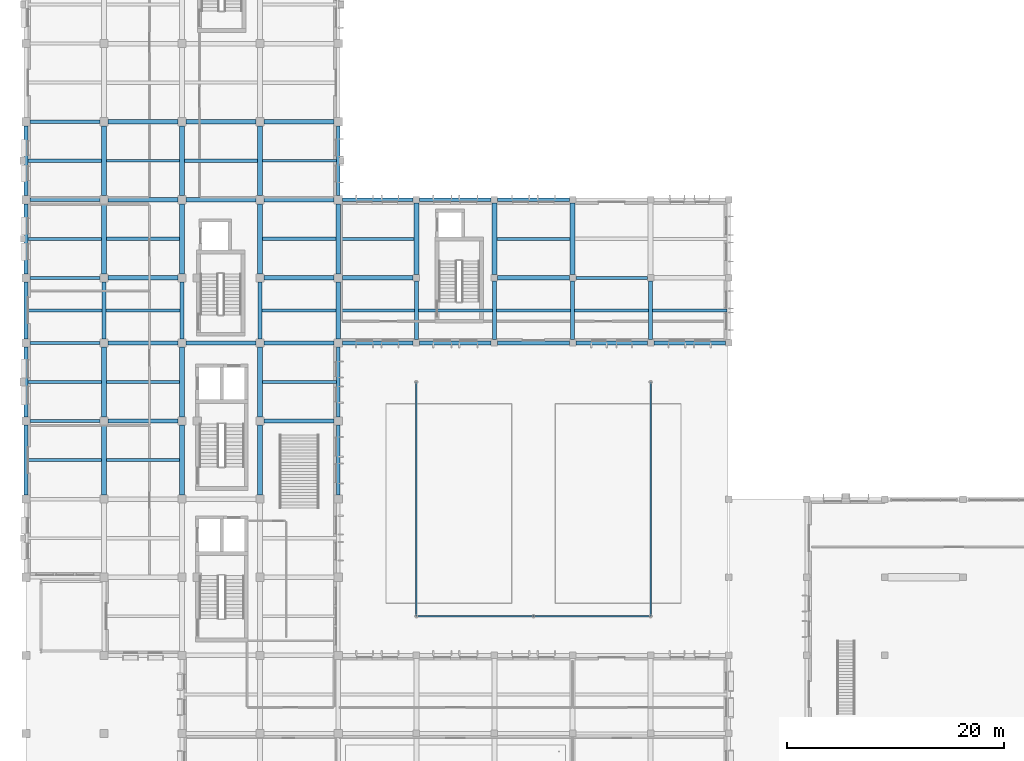
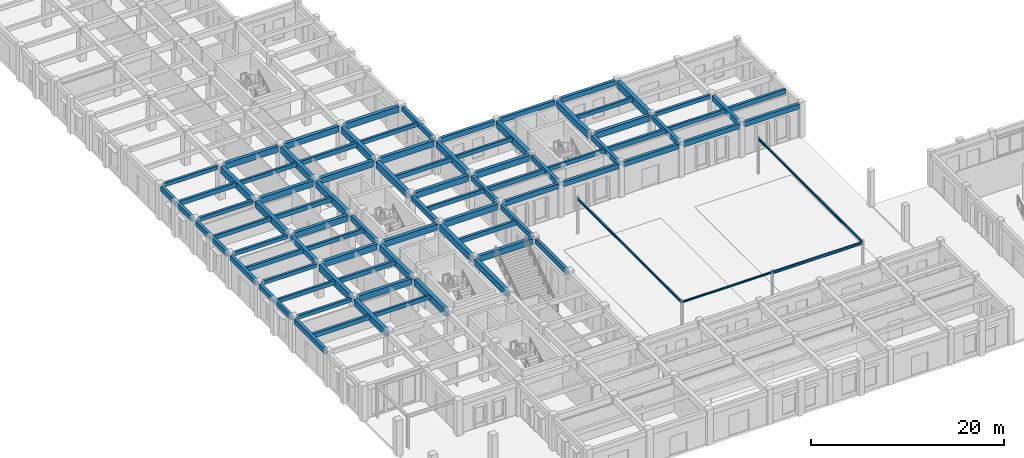
# One storey, part 9 of 43: 87 beams.
"""IFC4 building model written with IfcOpenShell, lengths in metres."""

from ifc_helpers import new_model, si_unit, direction, frame, origin, origin_2d, place, context, subcontext, project, spatial, rectangle, i_section, extrude, material, material_profile, profile_set, type_object, element, save


model = new_model("IFC4")

# Units and contexts
model_context = context("Model", 3, precision=1e-05, world=origin(), true_north=direction((0.0, 1.0)))
body_context = subcontext(model_context, "Body", "Model", "MODEL_VIEW")
ifc_project = project(units=[si_unit("LENGTHUNIT", "METRE"), si_unit("AREAUNIT", "SQUARE_METRE"), si_unit("VOLUMEUNIT", "CUBIC_METRE"), si_unit("PLANEANGLEUNIT", "RADIAN"), si_unit("MASSUNIT", "GRAM", prefix="KILO")], contexts=[model_context])

# Site, building, storey
site_placement = place(None, origin())
site = spatial("IfcSite", under=ifc_project, at=site_placement, CompositionType="ELEMENT")
building_placement = place(site_placement, origin())
building = spatial("IfcBuilding", under=site, at=building_placement, Name="Alvorim Cloister Faculty of Sciences", CompositionType="ELEMENT")
storey_placement = place(building_placement, origin())
storey = spatial("IfcBuildingStorey", under=building, at=storey_placement, Name="L00", CompositionType="ELEMENT", Elevation=0.0)

# Beams
ifc_material_1 = material(Name="Concrete C40", Category="concrete")
ifc_material_profile_1 = material_profile(ifc_material_1, rectangle(XDim=0.260009765625, YDim=0.5, at=origin_2d()), Name="RC40-JST-260x500")
ifc_profile_set_1 = profile_set([ifc_material_profile_1], Name="Concrete C40")
beam_type_1 = type_object("IfcBeamType", Name="BM-JST-RC-260x500", PredefinedType="JOIST", material=ifc_profile_set_1)
for number, where, z_axis, x_axis, name in (
    (1, (0.175048828125, 39.60009765625, 4.0), (1.0, 0.0, 0.0), (0.0, 1.0, 0.0), "L00 Secondary Floor Joist BM-0816"),
    (2, (0.175048828125, 52.800048828125, 4.0), (1.0, 0.0, 0.0), (0.0, 1.0, 0.0), "L00 Secondary Floor Joist BM-0818"),
):
    element("IfcBeam", number, at=place(storey_placement, frame(where, z_axis=z_axis, x_axis=x_axis)), inside=storey, type_object=beam_type_1, Name=name, PredefinedType="JOIST", context=body_context, shape_type="SweptSolid", body=[
        extrude(rectangle(XDim=0.260009765625, YDim=0.5, at=origin_2d()), origin(), (0.0, 0.0, 1.0), 6.800048828125),
    ])
beam_1_placement = place(storey_placement, frame((7.425048828125, 32.39990234375, 4.0), z_axis=(1.0, 0.0, 0.0), x_axis=(0.0, 1.0, 0.0)))
element("IfcBeam", 3, at=beam_1_placement, inside=storey, type_object=beam_type_1, Name="L00 Secondary Floor Joist BM-0829", PredefinedType="JOIST", context=body_context, shape_type="SweptSolid", body=[
    extrude(rectangle(XDim=0.260009765625, YDim=0.5, at=origin_2d()), origin(), (0.0, 0.0, 1.0), 6.75),
])
beam_2_placement = place(storey_placement, frame((7.389892578125, 46.199951171875, 4.0), z_axis=(1.0, 0.0, 0.0), x_axis=(0.0, 1.0, 0.0)))
element("IfcBeam", 4, at=beam_2_placement, inside=storey, type_object=beam_type_1, Name="L00 Secondary Floor Joist BM-0831", PredefinedType="JOIST", context=body_context, shape_type="SweptSolid", body=[
    extrude(rectangle(XDim=0.260009765625, YDim=0.5, at=origin_2d()), origin(), (0.0, 0.0, 1.0), 6.820068359375),
])
beam_3_placement = place(storey_placement, frame((7.425048828125, 60.0, 4.0), z_axis=(1.0, 0.0, 0.0), x_axis=(0.0, 1.0, 0.0)))
element("IfcBeam", 5, at=beam_3_placement, inside=storey, type_object=beam_type_1, Name="L00 Secondary Floor Joist BM-0833", PredefinedType="JOIST", context=body_context, shape_type="SweptSolid", body=[
    extrude(rectangle(XDim=0.260009765625, YDim=0.5, at=origin_2d()), origin(), (0.0, 0.0, 1.0), 6.75),
])
beam_4_placement = place(storey_placement, frame((21.7900390625, 46.199951171875, 4.0), z_axis=(1.0, 0.0, 0.0), x_axis=(0.0, 1.0, 0.0)))
element("IfcBeam", 6, at=beam_4_placement, inside=storey, type_object=beam_type_1, Name="L00 Secondary Floor Joist BM-0854", PredefinedType="JOIST", context=body_context, shape_type="SweptSolid", body=[
    extrude(rectangle(XDim=0.260009765625, YDim=0.5, at=origin_2d()), origin(), (0.0, 0.0, 1.0), 6.820068359375),
])
beam_5_placement = place(storey_placement, frame((21.824951171875, 60.0, 4.0), z_axis=(1.0, 0.0, 0.0), x_axis=(0.0, 1.0, 0.0)))
element("IfcBeam", 7, at=beam_5_placement, inside=storey, type_object=beam_type_1, Name="L00 Secondary Floor Joist BM-0856", PredefinedType="JOIST", context=body_context, shape_type="SweptSolid", body=[
    extrude(rectangle(XDim=0.260009765625, YDim=0.5, at=origin_2d()), origin(), (0.0, 0.0, 1.0), 6.800048828125),
])
beam_6_placement = place(storey_placement, frame((29.02490234375, 52.800048828125, 4.0), z_axis=(1.0, 0.0, 0.0), x_axis=(0.0, 1.0, 0.0)))
element("IfcBeam", 8, at=beam_6_placement, inside=storey, type_object=beam_type_1, Name="L00 Secondary Floor Joist BM-0863", PredefinedType="JOIST", context=body_context, shape_type="SweptSolid", body=[
    extrude(rectangle(XDim=0.260009765625, YDim=0.5, at=origin_2d()), origin(), (0.0, 0.0, 1.0), 6.75),
])
beam_7_placement = place(storey_placement, frame((36.18994140625, 46.199951171875, 4.0), z_axis=(1.0, 0.0, 0.0), x_axis=(0.0, 1.0, 0.0)))
element("IfcBeam", 9, at=beam_7_placement, inside=storey, type_object=beam_type_1, Name="L00 Secondary Floor Joist BM-0866", PredefinedType="JOIST", context=body_context, shape_type="SweptSolid", body=[
    extrude(rectangle(XDim=0.260009765625, YDim=0.5, at=origin_2d()), origin(), (0.0, 0.0, 1.0), 6.820068359375),
])
beam_8_placement = place(storey_placement, frame((43.425048828125, 52.800048828125, 4.0), z_axis=(1.0, 0.0, 0.0), x_axis=(0.0, 1.0, 0.0)))
element("IfcBeam", 10, at=beam_8_placement, inside=storey, type_object=beam_type_1, Name="L00 Secondary Floor Joist BM-0870", PredefinedType="JOIST", context=body_context, shape_type="SweptSolid", body=[
    extrude(rectangle(XDim=0.260009765625, YDim=0.5, at=origin_2d()), origin(), (0.0, 0.0, 1.0), 6.75),
])
beam_9_placement = place(storey_placement, frame((50.590087890625, 46.199951171875, 4.0), z_axis=(1.0, 0.0, 0.0), x_axis=(0.0, 1.0, 0.0)))
element("IfcBeam", 11, at=beam_9_placement, inside=storey, type_object=beam_type_1, Name="L00 Secondary Floor Joist BM-0873", PredefinedType="JOIST", context=body_context, shape_type="SweptSolid", body=[
    extrude(rectangle(XDim=0.260009765625, YDim=0.5, at=origin_2d()), origin(), (0.0, 0.0, 1.0), 6.81982421875),
])
ifc_material_profile_2 = material_profile(ifc_material_1, rectangle(XDim=0.300048828125, YDim=0.550048828125, at=origin_2d()), Name="RC40-JST-300x550")
ifc_profile_set_2 = profile_set([ifc_material_profile_2], Name="Concrete C40")
beam_type_2 = type_object("IfcBeamType", Name="BM-JST-RC-300x550", PredefinedType="JOIST", material=ifc_profile_set_2)
beam_10_placement = place(storey_placement, frame((0.175048828125, 32.39990234375, 3.97509765625), z_axis=(1.0, 0.0, 0.0), x_axis=(0.0, 1.0, 0.0)))
element("IfcBeam", 12, at=beam_10_placement, inside=storey, type_object=beam_type_2, Name="L00 Secondary Floor Joist BM-0815", PredefinedType="JOIST", context=body_context, shape_type="SweptSolid", body=[
    extrude(rectangle(XDim=0.300048828125, YDim=0.550048828125, at=origin_2d()), origin(), (0.0, 0.0, 1.0), 6.800048828125),
])
beam_11_placement = place(storey_placement, frame((0.175048828125, 46.199951171875, 3.97509765625), z_axis=(1.0, 0.0, 0.0), x_axis=(0.0, 1.0, 0.0)))
element("IfcBeam", 13, at=beam_11_placement, inside=storey, type_object=beam_type_2, Name="L00 Secondary Floor Joist BM-0817", PredefinedType="JOIST", context=body_context, shape_type="SweptSolid", body=[
    extrude(rectangle(XDim=0.300048828125, YDim=0.550048828125, at=origin_2d()), origin(), (0.0, 0.0, 1.0), 6.8349609375),
])
beam_12_placement = place(storey_placement, frame((0.175048828125, 60.0, 3.97509765625), z_axis=(1.0, 0.0, 0.0), x_axis=(0.0, 1.0, 0.0)))
element("IfcBeam", 14, at=beam_12_placement, inside=storey, type_object=beam_type_2, Name="L00 Secondary Floor Joist BM-0819", PredefinedType="JOIST", context=body_context, shape_type="SweptSolid", body=[
    extrude(rectangle(XDim=0.300048828125, YDim=0.550048828125, at=origin_2d()), origin(), (0.0, 0.0, 1.0), 6.800048828125),
])
for number, where, z_axis, x_axis, name in (
    (15, (7.425048828125, 39.60009765625, 3.97509765625), (1.0, 0.0, 0.0), (0.0, 1.0, 0.0), "L00 Secondary Floor Joist BM-0830"),
    (16, (7.425048828125, 52.800048828125, 3.97509765625), (1.0, 0.0, 0.0), (0.0, 1.0, 0.0), "L00 Secondary Floor Joist BM-0832"),
    (17, (14.625, 60.0, 3.97509765625), (1.0, 0.0, 0.0), (0.0, 1.0, 0.0), "L00 Secondary Floor Joist BM-0843"),
):
    element("IfcBeam", number, at=place(storey_placement, frame(where, z_axis=z_axis, x_axis=x_axis)), inside=storey, type_object=beam_type_2, Name=name, PredefinedType="JOIST", context=body_context, shape_type="SweptSolid", body=[
        extrude(rectangle(XDim=0.300048828125, YDim=0.550048828125, at=origin_2d()), origin(), (0.0, 0.0, 1.0), 6.75),
    ])
beam_13_placement = place(storey_placement, frame((21.824951171875, 39.60009765625, 3.97509765625), z_axis=(1.0, 0.0, 0.0), x_axis=(0.0, 1.0, 0.0)))
element("IfcBeam", 18, at=beam_13_placement, inside=storey, type_object=beam_type_2, Name="L00 Secondary Floor Joist BM-0853", PredefinedType="JOIST", context=body_context, shape_type="SweptSolid", body=[
    extrude(rectangle(XDim=0.300048828125, YDim=0.550048828125, at=origin_2d()), origin(), (0.0, 0.0, 1.0), 6.800048828125),
])
beam_14_placement = place(storey_placement, frame((21.824951171875, 52.800048828125, 3.97509765625), z_axis=(1.0, 0.0, 0.0), x_axis=(0.0, 1.0, 0.0)))
element("IfcBeam", 19, at=beam_14_placement, inside=storey, type_object=beam_type_2, Name="L00 Secondary Floor Joist BM-0855", PredefinedType="JOIST", context=body_context, shape_type="SweptSolid", body=[
    extrude(rectangle(XDim=0.300048828125, YDim=0.550048828125, at=origin_2d()), origin(), (0.0, 0.0, 1.0), 6.75),
])
for number, where, z_axis, x_axis, name in (
    (20, (28.989990234375, 46.199951171875, 3.97509765625), (1.0, 0.0, 0.0), (0.0, 1.0, 0.0), "L00 Secondary Floor Joist BM-0862"),
    (21, (43.389892578125, 46.199951171875, 3.97509765625), (1.0, 0.0, 0.0), (0.0, 1.0, 0.0), "L00 Secondary Floor Joist BM-0869"),
):
    element("IfcBeam", number, at=place(storey_placement, frame(where, z_axis=z_axis, x_axis=x_axis)), inside=storey, type_object=beam_type_2, Name=name, PredefinedType="JOIST", context=body_context, shape_type="SweptSolid", body=[
        extrude(rectangle(XDim=0.300048828125, YDim=0.550048828125, at=origin_2d()), origin(), (0.0, 0.0, 1.0), 6.820068359375),
    ])
beam_15_placement = place(storey_placement, frame((57.7900390625, 46.199951171875, 3.97509765625), z_axis=(1.0, 0.0, 0.0), x_axis=(0.0, 1.0, 0.0)))
element("IfcBeam", 22, at=beam_15_placement, inside=storey, type_object=beam_type_2, Name="L00 Secondary Floor Joist BM-0877", PredefinedType="JOIST", context=body_context, shape_type="SweptSolid", body=[
    extrude(rectangle(XDim=0.300048828125, YDim=0.550048828125, at=origin_2d()), origin(), (0.0, 0.0, 1.0), 6.8349609375),
])
ifc_material_profile_3 = material_profile(ifc_material_1, rectangle(XDim=0.300048828125, YDim=0.449951171875, at=origin_2d()), Name="RC40-LNT-300x450")
ifc_profile_set_3 = profile_set([ifc_material_profile_3], Name="Concrete C40")
beam_type_3 = type_object("IfcBeamType", Name="BM-LNT-RC-300x450", PredefinedType="LINTEL", material=ifc_profile_set_3)
for number, where, z_axis, x_axis, name in (
    (23, (0.375, 36.0, 4.02490234375), (1.0, 0.0, 0.0), (0.0, 1.0, 0.0), "L00 Primary Beam BM-0648"),
    (24, (0.375, 43.199951171875, 4.02490234375), (1.0, 0.0, 0.0), (0.0, 1.0, 0.0), "L00 Primary Beam BM-0651"),
    (25, (0.375, 49.199951171875, 4.02490234375), (1.0, 0.0, 0.0), (0.0, 1.0, 0.0), "L00 Primary Beam BM-0660"),
):
    element("IfcBeam", number, at=place(storey_placement, frame(where, z_axis=z_axis, x_axis=x_axis)), inside=storey, type_object=beam_type_3, Name=name, PredefinedType="LINTEL", context=body_context, shape_type="SweptSolid", body=[
        extrude(rectangle(XDim=0.300048828125, YDim=0.449951171875, at=origin_2d()), origin(), (0.0, 0.0, 1.0), 6.449951171875),
    ])
beam_16_placement = place(storey_placement, frame((50.699951171875, 49.199951171875, 4.02490234375), z_axis=(1.0, 0.0, 0.0), x_axis=(0.0, 1.0, 0.0)))
element("IfcBeam", 26, at=beam_16_placement, inside=storey, type_object=beam_type_3, Name="L00 Primary Beam BM-0665", PredefinedType="LINTEL", context=body_context, shape_type="SweptSolid", body=[
    extrude(rectangle(XDim=0.300048828125, YDim=0.449951171875, at=origin_2d()), origin(), (0.0, 0.0, 1.0), 6.60009765625),
])
for number, where, z_axis, x_axis, name in (
    (27, (0.375, 56.39990234375, 4.02490234375), (1.0, 0.0, 0.0), (0.0, 1.0, 0.0), "L00 Primary Beam BM-0667"),
    (28, (0.375, 63.60009765625, 4.02490234375), (1.0, 0.0, 0.0), (0.0, 1.0, 0.0), "L00 Primary Beam BM-0676"),
):
    element("IfcBeam", number, at=place(storey_placement, frame(where, z_axis=z_axis, x_axis=x_axis)), inside=storey, type_object=beam_type_3, Name=name, PredefinedType="LINTEL", context=body_context, shape_type="SweptSolid", body=[
        extrude(rectangle(XDim=0.300048828125, YDim=0.449951171875, at=origin_2d()), origin(), (0.0, 0.0, 1.0), 6.449951171875),
    ])
ifc_material_profile_4 = material_profile(ifc_material_1, rectangle(XDim=0.3798828125, YDim=0.64990234375, at=origin_2d()), Name="RC40-BM-380x650")
ifc_profile_set_4 = profile_set([ifc_material_profile_4], Name="Concrete C40")
beam_type_4 = type_object("IfcBeamType", Name="BM-RC-380x650", PredefinedType="BEAM", material=ifc_profile_set_4)
for number, where, z_axis, x_axis, name in (
    (29, (7.199951171875, 43.574951171875, 3.925048828125), (0.0, 1.0, 0.0), (-1.0, 0.0, 0.0), "L00 Primary Girder BM-0720"),
    (30, (14.39990234375, 43.574951171875, 3.925048828125), (0.0, 1.0, 0.0), (-1.0, 0.0, 0.0), "L00 Primary Girder BM-0736"),
    (31, (21.60009765625, 43.574951171875, 3.925048828125), (0.0, 1.0, 0.0), (-1.0, 0.0, 0.0), "L00 Primary Girder BM-0752"),
    (32, (28.800048828125, 43.574951171875, 3.925048828125), (0.0, 1.0, 0.0), (-1.0, 0.0, 0.0), "L00 Primary Girder BM-0768"),
):
    element("IfcBeam", number, at=place(storey_placement, frame(where, z_axis=z_axis, x_axis=x_axis)), inside=storey, type_object=beam_type_4, Name=name, PredefinedType="BEAM", context=body_context, shape_type="SweptSolid", body=[
        extrude(rectangle(XDim=0.3798828125, YDim=0.64990234375, at=origin_2d()), origin(), (0.0, 0.0, 1.0), 5.25),
    ])
for number, where, z_axis, x_axis, name in (
    (33, (36.0, 43.5, 3.925048828125), (0.0, 1.0, 0.0), (-1.0, 0.0, 0.0), "L00 Primary Girder BM-0776"),
    (34, (43.199951171875, 43.5, 3.925048828125), (0.0, 1.0, 0.0), (-1.0, 0.0, 0.0), "L00 Primary Girder BM-0780"),
    (35, (50.39990234375, 43.5, 3.925048828125), (0.0, 1.0, 0.0), (-1.0, 0.0, 0.0), "L00 Primary Girder BM-0784"),
    (36, (57.60009765625, 43.5, 3.925048828125), (0.0, 1.0, 0.0), (-1.0, 0.0, 0.0), "L00 Primary Girder BM-0788"),
):
    element("IfcBeam", number, at=place(storey_placement, frame(where, z_axis=z_axis, x_axis=x_axis)), inside=storey, type_object=beam_type_4, Name=name, PredefinedType="BEAM", context=body_context, shape_type="SweptSolid", body=[
        extrude(rectangle(XDim=0.3798828125, YDim=0.64990234375, at=origin_2d()), origin(), (0.0, 0.0, 1.0), 5.39990234375),
    ])
ifc_material_profile_5 = material_profile(ifc_material_1, rectangle(XDim=0.39990234375, YDim=0.75, at=origin_2d()), Name="RC40-BM-400x750")
ifc_profile_set_5 = profile_set([ifc_material_profile_5], Name="Concrete C40")
beam_type_5 = type_object("IfcBeamType", Name="BM-RC-400x750", PredefinedType="BEAM", material=ifc_profile_set_5)
for number, where, z_axis, x_axis, name in (
    (37, (7.574951171875, 36.0, 3.875), (1.0, 0.0, 0.0), (0.0, 1.0, 0.0), "L00 Primary Beam BM-0649"),
    (38, (21.97509765625, 36.0, 3.875), (1.0, 0.0, 0.0), (0.0, 1.0, 0.0), "L00 Primary Beam BM-0650"),
    (39, (7.574951171875, 43.199951171875, 3.875), (1.0, 0.0, 0.0), (0.0, 1.0, 0.0), "L00 Primary Beam BM-0652"),
):
    element("IfcBeam", number, at=place(storey_placement, frame(where, z_axis=z_axis, x_axis=x_axis)), inside=storey, type_object=beam_type_5, Name=name, PredefinedType="BEAM", context=body_context, shape_type="SweptSolid", body=[
        extrude(rectangle(XDim=0.39990234375, YDim=0.75, at=origin_2d()), origin(), (0.0, 0.0, 1.0), 6.449951171875),
    ])
beam_17_placement = place(storey_placement, frame((14.77490234375, 43.199951171875, 3.875), z_axis=(1.0, 0.0, 0.0), x_axis=(0.0, 1.0, 0.0)))
element("IfcBeam", 40, at=beam_17_placement, inside=storey, type_object=beam_type_5, Name="L00 Primary Beam BM-0653", PredefinedType="BEAM", context=body_context, shape_type="SweptSolid", body=[
    extrude(rectangle(XDim=0.39990234375, YDim=0.75, at=origin_2d()), origin(), (0.0, 0.0, 1.0), 6.4501953125),
])
for number, where, z_axis, x_axis, name in (
    (41, (21.97509765625, 43.199951171875, 3.875), (1.0, 0.0, 0.0), (0.0, 1.0, 0.0), "L00 Primary Beam BM-0654"),
    (42, (7.574951171875, 49.199951171875, 3.875), (1.0, 0.0, 0.0), (0.0, 1.0, 0.0), "L00 Primary Beam BM-0661"),
    (43, (21.97509765625, 49.199951171875, 3.875), (1.0, 0.0, 0.0), (0.0, 1.0, 0.0), "L00 Primary Beam BM-0662"),
):
    element("IfcBeam", number, at=place(storey_placement, frame(where, z_axis=z_axis, x_axis=x_axis)), inside=storey, type_object=beam_type_5, Name=name, PredefinedType="BEAM", context=body_context, shape_type="SweptSolid", body=[
        extrude(rectangle(XDim=0.39990234375, YDim=0.75, at=origin_2d()), origin(), (0.0, 0.0, 1.0), 6.449951171875),
    ])
beam_18_placement = place(storey_placement, frame((29.175048828125, 49.199951171875, 3.875), z_axis=(1.0, 0.0, 0.0), x_axis=(0.0, 1.0, 0.0)))
element("IfcBeam", 44, at=beam_18_placement, inside=storey, type_object=beam_type_5, Name="L00 Primary Beam BM-0663", PredefinedType="BEAM", context=body_context, shape_type="SweptSolid", body=[
    extrude(rectangle(XDim=0.39990234375, YDim=0.75, at=origin_2d()), origin(), (0.0, 0.0, 1.0), 6.52490234375),
])
beam_19_placement = place(storey_placement, frame((43.5, 49.199951171875, 3.875), z_axis=(1.0, 0.0, 0.0), x_axis=(0.0, 1.0, 0.0)))
element("IfcBeam", 45, at=beam_19_placement, inside=storey, type_object=beam_type_5, Name="L00 Primary Beam BM-0664", PredefinedType="BEAM", context=body_context, shape_type="SweptSolid", body=[
    extrude(rectangle(XDim=0.39990234375, YDim=0.75, at=origin_2d()), origin(), (0.0, 0.0, 1.0), 6.60009765625),
])
beam_20_placement = place(storey_placement, frame((7.574951171875, 56.39990234375, 3.875), z_axis=(1.0, 0.0, 0.0), x_axis=(0.0, 1.0, 0.0)))
element("IfcBeam", 46, at=beam_20_placement, inside=storey, type_object=beam_type_5, Name="L00 Primary Beam BM-0668", PredefinedType="BEAM", context=body_context, shape_type="SweptSolid", body=[
    extrude(rectangle(XDim=0.39990234375, YDim=0.75, at=origin_2d()), origin(), (0.0, 0.0, 1.0), 6.449951171875),
])
beam_21_placement = place(storey_placement, frame((14.77490234375, 56.39990234375, 3.875), z_axis=(1.0, 0.0, 0.0), x_axis=(0.0, 1.0, 0.0)))
element("IfcBeam", 47, at=beam_21_placement, inside=storey, type_object=beam_type_5, Name="L00 Primary Beam BM-0669", PredefinedType="BEAM", context=body_context, shape_type="SweptSolid", body=[
    extrude(rectangle(XDim=0.39990234375, YDim=0.75, at=origin_2d()), origin(), (0.0, 0.0, 1.0), 6.4501953125),
])
for number, where, z_axis, x_axis, name in (
    (48, (21.97509765625, 56.39990234375, 3.875), (1.0, 0.0, 0.0), (0.0, 1.0, 0.0), "L00 Primary Beam BM-0670"),
    (49, (7.574951171875, 63.60009765625, 3.875), (1.0, 0.0, 0.0), (0.0, 1.0, 0.0), "L00 Primary Beam BM-0677"),
):
    element("IfcBeam", number, at=place(storey_placement, frame(where, z_axis=z_axis, x_axis=x_axis)), inside=storey, type_object=beam_type_5, Name=name, PredefinedType="BEAM", context=body_context, shape_type="SweptSolid", body=[
        extrude(rectangle(XDim=0.39990234375, YDim=0.75, at=origin_2d()), origin(), (0.0, 0.0, 1.0), 6.449951171875),
    ])
beam_22_placement = place(storey_placement, frame((14.77490234375, 63.60009765625, 3.875), z_axis=(1.0, 0.0, 0.0), x_axis=(0.0, 1.0, 0.0)))
element("IfcBeam", 50, at=beam_22_placement, inside=storey, type_object=beam_type_5, Name="L00 Primary Beam BM-0678", PredefinedType="BEAM", context=body_context, shape_type="SweptSolid", body=[
    extrude(rectangle(XDim=0.39990234375, YDim=0.75, at=origin_2d()), origin(), (0.0, 0.0, 1.0), 6.4501953125),
])
beam_23_placement = place(storey_placement, frame((21.97509765625, 63.60009765625, 3.875), z_axis=(1.0, 0.0, 0.0), x_axis=(0.0, 1.0, 0.0)))
element("IfcBeam", 51, at=beam_23_placement, inside=storey, type_object=beam_type_5, Name="L00 Primary Beam BM-0679", PredefinedType="BEAM", context=body_context, shape_type="SweptSolid", body=[
    extrude(rectangle(XDim=0.39990234375, YDim=0.75, at=origin_2d()), origin(), (0.0, 0.0, 1.0), 6.449951171875),
])
ifc_material_profile_6 = material_profile(ifc_material_1, rectangle(XDim=0.449951171875, YDim=0.85009765625, at=origin_2d()), Name="RC40-BM-450x850")
ifc_profile_set_6 = profile_set([ifc_material_profile_6], Name="Concrete C40")
beam_type_6 = type_object("IfcBeamType", Name="BM-RC-450x850", PredefinedType="BEAM", material=ifc_profile_set_6)
for number, where, z_axis, x_axis, name in (
    (52, (7.199951171875, 29.175048828125, 3.824951171875), (0.0, 1.0, 0.0), (-1.0, 0.0, 0.0), "L00 Primary Girder BM-0718"),
    (53, (7.199951171875, 36.375, 3.824951171875), (0.0, 1.0, 0.0), (-1.0, 0.0, 0.0), "L00 Primary Girder BM-0719"),
    (54, (7.199951171875, 49.574951171875, 3.824951171875), (0.0, 1.0, 0.0), (-1.0, 0.0, 0.0), "L00 Primary Girder BM-0721"),
):
    element("IfcBeam", number, at=place(storey_placement, frame(where, z_axis=z_axis, x_axis=x_axis)), inside=storey, type_object=beam_type_6, Name=name, PredefinedType="BEAM", context=body_context, shape_type="SweptSolid", body=[
        extrude(rectangle(XDim=0.449951171875, YDim=0.85009765625, at=origin_2d()), origin(), (0.0, 0.0, 1.0), 6.449951171875),
    ])
beam_24_placement = place(storey_placement, frame((7.199951171875, 56.77490234375, 3.824951171875), z_axis=(0.0, 1.0, 0.0), x_axis=(-1.0, 0.0, 0.0)))
element("IfcBeam", 55, at=beam_24_placement, inside=storey, type_object=beam_type_6, Name="L00 Primary Girder BM-0722", PredefinedType="BEAM", context=body_context, shape_type="SweptSolid", body=[
    extrude(rectangle(XDim=0.449951171875, YDim=0.85009765625, at=origin_2d()), origin(), (0.0, 0.0, 1.0), 6.4501953125),
])
for number, where, z_axis, x_axis, name in (
    (56, (14.39990234375, 29.175048828125, 3.824951171875), (0.0, 1.0, 0.0), (-1.0, 0.0, 0.0), "L00 Primary Girder BM-0734"),
    (57, (14.39990234375, 36.375, 3.824951171875), (0.0, 1.0, 0.0), (-1.0, 0.0, 0.0), "L00 Primary Girder BM-0735"),
    (58, (14.39990234375, 49.574951171875, 3.824951171875), (0.0, 1.0, 0.0), (-1.0, 0.0, 0.0), "L00 Primary Girder BM-0737"),
):
    element("IfcBeam", number, at=place(storey_placement, frame(where, z_axis=z_axis, x_axis=x_axis)), inside=storey, type_object=beam_type_6, Name=name, PredefinedType="BEAM", context=body_context, shape_type="SweptSolid", body=[
        extrude(rectangle(XDim=0.449951171875, YDim=0.85009765625, at=origin_2d()), origin(), (0.0, 0.0, 1.0), 6.449951171875),
    ])
beam_25_placement = place(storey_placement, frame((14.39990234375, 56.77490234375, 3.824951171875), z_axis=(0.0, 1.0, 0.0), x_axis=(-1.0, 0.0, 0.0)))
element("IfcBeam", 59, at=beam_25_placement, inside=storey, type_object=beam_type_6, Name="L00 Primary Girder BM-0738", PredefinedType="BEAM", context=body_context, shape_type="SweptSolid", body=[
    extrude(rectangle(XDim=0.449951171875, YDim=0.85009765625, at=origin_2d()), origin(), (0.0, 0.0, 1.0), 6.4501953125),
])
for number, where, z_axis, x_axis, name in (
    (60, (21.60009765625, 29.175048828125, 3.824951171875), (0.0, 1.0, 0.0), (-1.0, 0.0, 0.0), "L00 Primary Girder BM-0750"),
    (61, (21.60009765625, 36.375, 3.824951171875), (0.0, 1.0, 0.0), (-1.0, 0.0, 0.0), "L00 Primary Girder BM-0751"),
    (62, (21.60009765625, 49.574951171875, 3.824951171875), (0.0, 1.0, 0.0), (-1.0, 0.0, 0.0), "L00 Primary Girder BM-0753"),
):
    element("IfcBeam", number, at=place(storey_placement, frame(where, z_axis=z_axis, x_axis=x_axis)), inside=storey, type_object=beam_type_6, Name=name, PredefinedType="BEAM", context=body_context, shape_type="SweptSolid", body=[
        extrude(rectangle(XDim=0.449951171875, YDim=0.85009765625, at=origin_2d()), origin(), (0.0, 0.0, 1.0), 6.449951171875),
    ])
beam_26_placement = place(storey_placement, frame((21.60009765625, 56.77490234375, 3.824951171875), z_axis=(0.0, 1.0, 0.0), x_axis=(-1.0, 0.0, 0.0)))
element("IfcBeam", 63, at=beam_26_placement, inside=storey, type_object=beam_type_6, Name="L00 Primary Girder BM-0754", PredefinedType="BEAM", context=body_context, shape_type="SweptSolid", body=[
    extrude(rectangle(XDim=0.449951171875, YDim=0.85009765625, at=origin_2d()), origin(), (0.0, 0.0, 1.0), 6.4501953125),
])
beam_27_placement = place(storey_placement, frame((28.800048828125, 49.574951171875, 3.824951171875), z_axis=(0.0, 1.0, 0.0), x_axis=(-1.0, 0.0, 0.0)))
element("IfcBeam", 64, at=beam_27_placement, inside=storey, type_object=beam_type_6, Name="L00 Primary Girder BM-0769", PredefinedType="BEAM", context=body_context, shape_type="SweptSolid", body=[
    extrude(rectangle(XDim=0.449951171875, YDim=0.85009765625, at=origin_2d()), origin(), (0.0, 0.0, 1.0), 6.449951171875),
])
for number, where, z_axis, x_axis, name in (
    (65, (36.0, 49.5, 3.824951171875), (0.0, 1.0, 0.0), (-1.0, 0.0, 0.0), "L00 Primary Girder BM-0777"),
    (66, (43.199951171875, 49.5, 3.824951171875), (0.0, 1.0, 0.0), (-1.0, 0.0, 0.0), "L00 Primary Girder BM-0781"),
    (67, (50.39990234375, 49.5, 3.824951171875), (0.0, 1.0, 0.0), (-1.0, 0.0, 0.0), "L00 Primary Girder BM-0785"),
):
    element("IfcBeam", number, at=place(storey_placement, frame(where, z_axis=z_axis, x_axis=x_axis)), inside=storey, type_object=beam_type_6, Name=name, PredefinedType="BEAM", context=body_context, shape_type="SweptSolid", body=[
        extrude(rectangle(XDim=0.449951171875, YDim=0.85009765625, at=origin_2d()), origin(), (0.0, 0.0, 1.0), 6.60009765625),
    ])
ifc_material_profile_7 = material_profile(ifc_material_1, rectangle(XDim=0.35009765625, YDim=0.6201171875, at=origin_2d()), Name="RC40-SPD-350x620")
ifc_profile_set_7 = profile_set([ifc_material_profile_7], Name="Concrete C40")
beam_type_7 = type_object("IfcBeamType", Name="BM-SPD-RC-350x620", PredefinedType="SPANDREL", material=ifc_profile_set_7)
beam_28_placement = place(storey_placement, frame((29.175048828125, 43.199951171875, 3.93994140625), z_axis=(1.0, 0.0, 0.0), x_axis=(0.0, 1.0, 0.0)))
element("IfcBeam", 68, at=beam_28_placement, inside=storey, type_object=beam_type_7, Name="L00 Primary Beam BM-0655", PredefinedType="SPANDREL", context=body_context, shape_type="SweptSolid", body=[
    extrude(rectangle(XDim=0.35009765625, YDim=0.6201171875, at=origin_2d()), origin(), (0.0, 0.0, 1.0), 6.52490234375),
])
beam_29_placement = place(storey_placement, frame((36.300048828125, 43.199951171875, 3.93994140625), z_axis=(1.0, 0.0, 0.0), x_axis=(0.0, 1.0, 0.0)))
element("IfcBeam", 69, at=beam_29_placement, inside=storey, type_object=beam_type_7, Name="L00 Primary Beam BM-0656", PredefinedType="SPANDREL", context=body_context, shape_type="SweptSolid", body=[
    extrude(rectangle(XDim=0.35009765625, YDim=0.6201171875, at=origin_2d()), origin(), (0.0, 0.0, 1.0), 6.599853515625),
])
for number, where, z_axis, x_axis, name in (
    (70, (43.5, 43.199951171875, 3.93994140625), (1.0, 0.0, 0.0), (0.0, 1.0, 0.0), "L00 Primary Beam BM-0657"),
    (71, (50.699951171875, 43.199951171875, 3.93994140625), (1.0, 0.0, 0.0), (0.0, 1.0, 0.0), "L00 Primary Beam BM-0658"),
    (72, (57.89990234375, 43.199951171875, 3.93994140625), (1.0, 0.0, 0.0), (0.0, 1.0, 0.0), "L00 Primary Beam BM-0659"),
):
    element("IfcBeam", number, at=place(storey_placement, frame(where, z_axis=z_axis, x_axis=x_axis)), inside=storey, type_object=beam_type_7, Name=name, PredefinedType="SPANDREL", context=body_context, shape_type="SweptSolid", body=[
        extrude(rectangle(XDim=0.35009765625, YDim=0.6201171875, at=origin_2d()), origin(), (0.0, 0.0, 1.0), 6.60009765625),
    ])
beam_30_placement = place(storey_placement, frame((29.175048828125, 56.39990234375, 3.93994140625), z_axis=(1.0, 0.0, 0.0), x_axis=(0.0, 1.0, 0.0)))
element("IfcBeam", 73, at=beam_30_placement, inside=storey, type_object=beam_type_7, Name="L00 Primary Beam BM-0671", PredefinedType="SPANDREL", context=body_context, shape_type="SweptSolid", body=[
    extrude(rectangle(XDim=0.35009765625, YDim=0.6201171875, at=origin_2d()), origin(), (0.0, 0.0, 1.0), 6.52490234375),
])
beam_31_placement = place(storey_placement, frame((36.300048828125, 56.39990234375, 3.93994140625), z_axis=(1.0, 0.0, 0.0), x_axis=(0.0, 1.0, 0.0)))
element("IfcBeam", 74, at=beam_31_placement, inside=storey, type_object=beam_type_7, Name="L00 Primary Beam BM-0672", PredefinedType="SPANDREL", context=body_context, shape_type="SweptSolid", body=[
    extrude(rectangle(XDim=0.35009765625, YDim=0.6201171875, at=origin_2d()), origin(), (0.0, 0.0, 1.0), 6.599853515625),
])
beam_32_placement = place(storey_placement, frame((43.5, 56.39990234375, 3.93994140625), z_axis=(1.0, 0.0, 0.0), x_axis=(0.0, 1.0, 0.0)))
element("IfcBeam", 75, at=beam_32_placement, inside=storey, type_object=beam_type_7, Name="L00 Primary Beam BM-0673", PredefinedType="SPANDREL", context=body_context, shape_type="SweptSolid", body=[
    extrude(rectangle(XDim=0.35009765625, YDim=0.6201171875, at=origin_2d()), origin(), (0.0, 0.0, 1.0), 6.60009765625),
])
for number, where, z_axis, x_axis, name in (
    (76, (0.0, 29.175048828125, 3.93994140625), (0.0, 1.0, 0.0), (-1.0, 0.0, 0.0), "L00 Primary Girder BM-0704"),
    (77, (0.0, 36.375, 3.93994140625), (0.0, 1.0, 0.0), (-1.0, 0.0, 0.0), "L00 Primary Girder BM-0705"),
):
    element("IfcBeam", number, at=place(storey_placement, frame(where, z_axis=z_axis, x_axis=x_axis)), inside=storey, type_object=beam_type_7, Name=name, PredefinedType="SPANDREL", context=body_context, shape_type="SweptSolid", body=[
        extrude(rectangle(XDim=0.35009765625, YDim=0.6201171875, at=origin_2d()), origin(), (0.0, 0.0, 1.0), 6.449951171875),
    ])
beam_33_placement = place(storey_placement, frame((0.0, 43.574951171875, 3.93994140625), z_axis=(0.0, 1.0, 0.0), x_axis=(-1.0, 0.0, 0.0)))
element("IfcBeam", 78, at=beam_33_placement, inside=storey, type_object=beam_type_7, Name="L00 Primary Girder BM-0706", PredefinedType="SPANDREL", context=body_context, shape_type="SweptSolid", body=[
    extrude(rectangle(XDim=0.35009765625, YDim=0.6201171875, at=origin_2d()), origin(), (0.0, 0.0, 1.0), 5.25),
])
beam_34_placement = place(storey_placement, frame((0.0, 49.574951171875, 3.93994140625), z_axis=(0.0, 1.0, 0.0), x_axis=(-1.0, 0.0, 0.0)))
element("IfcBeam", 79, at=beam_34_placement, inside=storey, type_object=beam_type_7, Name="L00 Primary Girder BM-0707", PredefinedType="SPANDREL", context=body_context, shape_type="SweptSolid", body=[
    extrude(rectangle(XDim=0.35009765625, YDim=0.6201171875, at=origin_2d()), origin(), (0.0, 0.0, 1.0), 6.449951171875),
])
beam_35_placement = place(storey_placement, frame((0.0, 56.77490234375, 3.93994140625), z_axis=(0.0, 1.0, 0.0), x_axis=(-1.0, 0.0, 0.0)))
element("IfcBeam", 80, at=beam_35_placement, inside=storey, type_object=beam_type_7, Name="L00 Primary Girder BM-0708", PredefinedType="SPANDREL", context=body_context, shape_type="SweptSolid", body=[
    extrude(rectangle(XDim=0.35009765625, YDim=0.6201171875, at=origin_2d()), origin(), (0.0, 0.0, 1.0), 6.4501953125),
])
for number, where, z_axis, x_axis, name in (
    (81, (28.800048828125, 29.175048828125, 3.93994140625), (0.0, 1.0, 0.0), (-1.0, 0.0, 0.0), "L00 Primary Girder BM-0766"),
    (82, (28.800048828125, 36.375, 3.93994140625), (0.0, 1.0, 0.0), (-1.0, 0.0, 0.0), "L00 Primary Girder BM-0767"),
):
    element("IfcBeam", number, at=place(storey_placement, frame(where, z_axis=z_axis, x_axis=x_axis)), inside=storey, type_object=beam_type_7, Name=name, PredefinedType="SPANDREL", context=body_context, shape_type="SweptSolid", body=[
        extrude(rectangle(XDim=0.35009765625, YDim=0.6201171875, at=origin_2d()), origin(), (0.0, 0.0, 1.0), 6.449951171875),
    ])
beam_36_placement = place(storey_placement, frame((28.800048828125, 56.77490234375, 3.93994140625), z_axis=(0.0, 1.0, 0.0), x_axis=(-1.0, 0.0, 0.0)))
element("IfcBeam", 83, at=beam_36_placement, inside=storey, type_object=beam_type_7, Name="L00 Primary Girder BM-0770", PredefinedType="SPANDREL", context=body_context, shape_type="SweptSolid", body=[
    extrude(rectangle(XDim=0.35009765625, YDim=0.6201171875, at=origin_2d()), origin(), (0.0, 0.0, 1.0), 6.4501953125),
])
ifc_material_2 = material(Name="Steel ASTM A572 Grade 50", Category="steel")
ifc_material_profile_8 = material_profile(ifc_material_2, i_section(OverallWidth=0.133056640625, OverallDepth=0.20703125, WebThickness=0.005859375, FlangeThickness=0.00830078125, FilletRadius=0.010009765625, at=origin_2d()), Name="W200x26.6")
ifc_profile_set_8 = profile_set([ifc_material_profile_8], Name="Steel ASTM A572 Grade 50")
beam_type_8 = type_object("IfcBeamType", Name="BM-STL-W200", PredefinedType="SPANDREL", material=ifc_profile_set_8)
beam_37_placement = place(storey_placement, frame((36.0, 18.0, 4.396484375), z_axis=(1.0, 0.0, 0.0), x_axis=(0.0, 1.0, 0.0)))
element("IfcBeam", 84, at=beam_37_placement, inside=storey, type_object=beam_type_8, Name="L00 Cloister South West Arcade BM-2229", PredefinedType="SPANDREL", context=body_context, shape_type="SweptSolid", body=[
    extrude(i_section(OverallWidth=0.133056640625, OverallDepth=0.20703125, WebThickness=0.005859375, FlangeThickness=0.00830078125, FilletRadius=0.010009765625, at=origin_2d()), origin(), (0.0, 0.0, 1.0), 10.800048828125),
])
ifc_material_profile_9 = material_profile(ifc_material_2, i_section(OverallWidth=0.14599609375, OverallDepth=0.258056640625, WebThickness=0.006103515625, FlangeThickness=0.009033203125, FilletRadius=0.010009765625, at=origin_2d()), Name="W250x32.7")
ifc_profile_set_9 = profile_set([ifc_material_profile_9], Name="Steel ASTM A572 Grade 50")
beam_type_9 = type_object("IfcBeamType", Name="BM-STL-W250", PredefinedType="LINTEL", material=ifc_profile_set_9)
for number, where, z_axis, x_axis, name in (
    (85, (36.0, 18.0, 4.37109375), (0.0, 1.0, 0.0), (-1.0, 0.0, 0.0), "L00 Cloister West Cross Arcade BM-2231"),
    (86, (57.60009765625, 18.0, 4.37109375), (0.0, 1.0, 0.0), (-1.0, 0.0, 0.0), "L00 Cloister East Cross Arcade BM-2232"),
):
    element("IfcBeam", number, at=place(storey_placement, frame(where, z_axis=z_axis, x_axis=x_axis)), inside=storey, type_object=beam_type_9, Name=name, PredefinedType="LINTEL", context=body_context, shape_type="SweptSolid", body=[
        extrude(i_section(OverallWidth=0.14599609375, OverallDepth=0.258056640625, WebThickness=0.006103515625, FlangeThickness=0.009033203125, FilletRadius=0.010009765625, at=origin_2d()), origin(), (0.0, 0.0, 1.0), 21.60009765625),
    ])
ifc_material_profile_10 = material_profile(ifc_material_2, i_section(OverallWidth=0.1650390625, OverallDepth=0.31005859375, WebThickness=0.005859375, FlangeThickness=0.009765625, FilletRadius=0.010986328125, at=origin_2d()), Name="W310x38.7")
ifc_profile_set_10 = profile_set([ifc_material_profile_10], Name="Steel ASTM A572 Grade 50")
beam_type_10 = type_object("IfcBeamType", Name="BM-STL-W310", PredefinedType="JOIST", material=ifc_profile_set_10)
beam_38_placement = place(storey_placement, frame((46.800048828125, 18.0, 4.344970703125), z_axis=(1.0, 0.0, 0.0), x_axis=(0.0, 1.0, 0.0)))
element("IfcBeam", 87, at=beam_38_placement, inside=storey, type_object=beam_type_10, Name="L00 Cloister South East Arcade BM-2230", PredefinedType="JOIST", context=body_context, shape_type="SweptSolid", body=[
    extrude(i_section(OverallWidth=0.1650390625, OverallDepth=0.31005859375, WebThickness=0.005859375, FlangeThickness=0.009765625, FilletRadius=0.010986328125, at=origin_2d()), origin(), (0.0, 0.0, 1.0), 10.800048828125),
])

save(model, "model.ifc")
